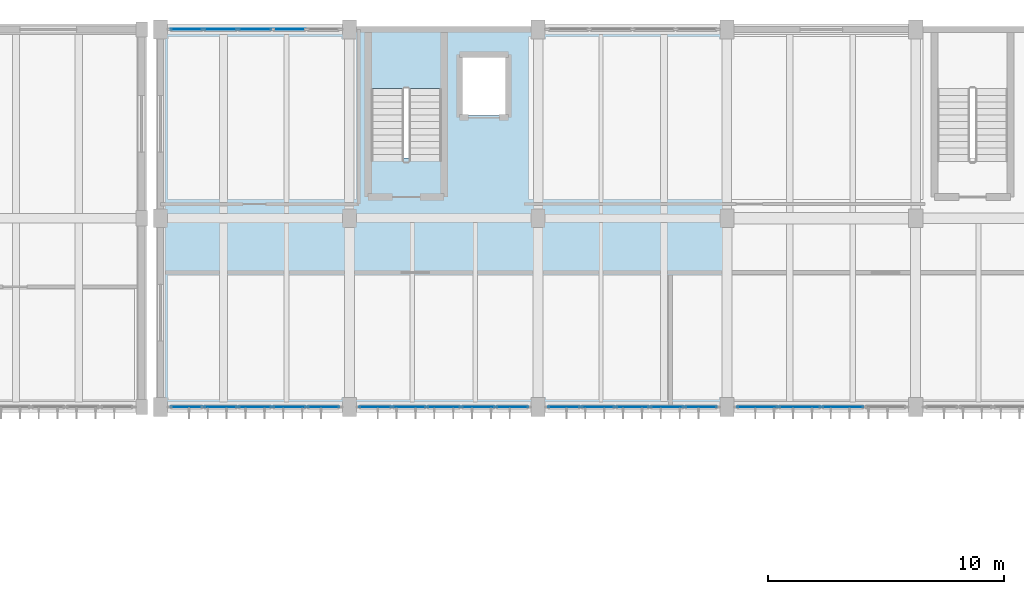
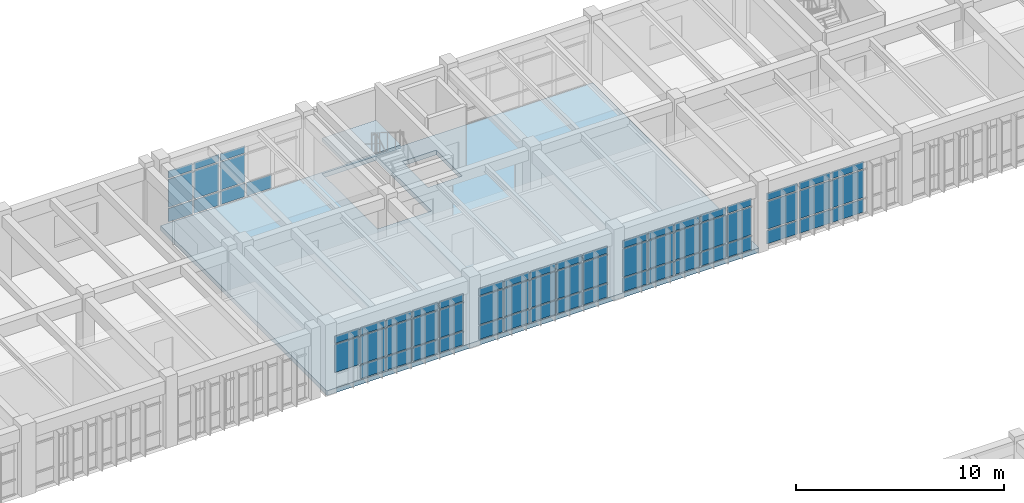
# One storey, part 37 of 67: 63 plates, 2 slabs, 6 elements without a shape of their own.
"""IFC4 building model written with IfcOpenShell, lengths in metres."""

from ifc_helpers import new_model, si_unit, direction, frame, origin, origin_2d, place, context, subcontext, project, spatial, polyline, rectangle, outline, extrude, material, layer, layer_set, type_object, element, aggregate, save


model = new_model("IFC4")

# Units and contexts
model_context = context("Model", 3, precision=1e-05, world=origin(), true_north=direction((0.0, 1.0)))
body_context = subcontext(model_context, "Body", "Model", "MODEL_VIEW")
ifc_project = project(units=[si_unit("LENGTHUNIT", "METRE"), si_unit("AREAUNIT", "SQUARE_METRE"), si_unit("VOLUMEUNIT", "CUBIC_METRE"), si_unit("PLANEANGLEUNIT", "RADIAN"), si_unit("MASSUNIT", "GRAM", prefix="KILO")], contexts=[model_context])

# Site, building, storey
site_placement = place(None, origin())
site = spatial("IfcSite", under=ifc_project, at=site_placement, CompositionType="ELEMENT")
building_placement = place(site_placement, origin())
building = spatial("IfcBuilding", under=site, at=building_placement, Name="Tlaxcora Railside Police Headquarters", CompositionType="ELEMENT")
storey_placement = place(building_placement, frame((0.0, 0.0, 4.800048828125)))
storey = spatial("IfcBuildingStorey", under=building, at=storey_placement, Name="L01", CompositionType="ELEMENT", Elevation=4.800048828125)

# Curtain wall, plates
ifc_material_1 = material(Name="Thermally broken low-E insulated glazing", Category="glass")
curtain_wall_type_1 = type_object("IfcCurtainWallType", Name="Unitised Curtain Wall Assembly CW-23", PredefinedType="NOTDEFINED", material=ifc_material_1)
curtain_wall_1_placement = place(storey_placement, origin())
curtain_wall_1 = element("IfcCurtainWall", 1, at=curtain_wall_1_placement, inside=storey, type_object=curtain_wall_type_1, Name="V6 L01 curtain wall 144", PredefinedType="NOTDEFINED")
ifc_layer_1 = layer(ifc_material_1, 0.0400390625, Name="Thermally broken low-E insulated glazing")
ifc_layer_set_1 = layer_set([ifc_layer_1], Name="Thermally broken low-E insulated glazing")
plate_type_1 = type_object("IfcPlateType", Name="Curtain Wall Infill Panel CW-17", PredefinedType="CURTAIN_PANEL", material=ifc_layer_set_1)
plate_1_placement = place(storey_placement, frame((103.89990234375, 76.800048828125, 0.93994140625), z_axis=(0.0, 0.0, 1.0), x_axis=(1.0, 0.0, 0.0)))
plate_1 = element("IfcPlate", 2, at=plate_1_placement, type_object=plate_type_1, Name="CW panel 1.2", PredefinedType="CURTAIN_PANEL", context=body_context, shape_type="SweptSolid", body=[
    extrude(rectangle(XDim=1.340087890625, YDim=0.0400390625, at=origin_2d()), origin(), (0.0, 0.0, 1.0), 1.6298828125),
])
plate_2_placement = place(storey_placement, frame((103.89990234375, 76.800048828125, 2.64990234375), z_axis=(0.0, 0.0, 1.0), x_axis=(1.0, 0.0, 0.0)))
plate_2 = element("IfcPlate", 3, at=plate_2_placement, type_object=plate_type_1, Name="CW panel 1.3", PredefinedType="CURTAIN_PANEL", context=body_context, shape_type="SweptSolid", body=[
    extrude(rectangle(XDim=1.340087890625, YDim=0.0400390625, at=origin_2d()), origin(), (0.0, 0.0, 1.0), 0.409912109375),
])
plate_3_placement = place(storey_placement, frame((105.340087890625, 76.800048828125, 0.080078125), z_axis=(0.0, 0.0, 1.0), x_axis=(1.0, 0.0, 0.0)))
plate_3 = element("IfcPlate", 4, at=plate_3_placement, type_object=plate_type_1, Name="CW panel 2.1", PredefinedType="CURTAIN_PANEL", context=body_context, shape_type="SweptSolid", body=[
    extrude(rectangle(XDim=1.3798828125, YDim=0.0400390625, at=origin_2d()), origin(), (0.0, 0.0, 1.0), 0.780029296875),
])
plate_4_placement = place(storey_placement, frame((105.340087890625, 76.800048828125, 0.93994140625), z_axis=(0.0, 0.0, 1.0), x_axis=(1.0, 0.0, 0.0)))
plate_4 = element("IfcPlate", 5, at=plate_4_placement, type_object=plate_type_1, Name="CW panel 2.2", PredefinedType="CURTAIN_PANEL", context=body_context, shape_type="SweptSolid", body=[
    extrude(rectangle(XDim=1.3798828125, YDim=0.0400390625, at=origin_2d()), origin(), (0.0, 0.0, 1.0), 1.6298828125),
])
plate_5_placement = place(storey_placement, frame((105.340087890625, 76.800048828125, 2.64990234375), z_axis=(0.0, 0.0, 1.0), x_axis=(1.0, 0.0, 0.0)))
plate_5 = element("IfcPlate", 6, at=plate_5_placement, type_object=plate_type_1, Name="CW panel 2.3", PredefinedType="CURTAIN_PANEL", context=body_context, shape_type="SweptSolid", body=[
    extrude(rectangle(XDim=1.3798828125, YDim=0.0400390625, at=origin_2d()), origin(), (0.0, 0.0, 1.0), 0.409912109375),
])
plate_6_placement = place(storey_placement, frame((106.800048828125, 76.800048828125, 0.080078125), z_axis=(0.0, 0.0, 1.0), x_axis=(1.0, 0.0, 0.0)))
plate_6 = element("IfcPlate", 7, at=plate_6_placement, type_object=plate_type_1, Name="CW panel 3.1", PredefinedType="CURTAIN_PANEL", context=body_context, shape_type="SweptSolid", body=[
    extrude(rectangle(XDim=1.3798828125, YDim=0.0400390625, at=origin_2d()), origin(), (0.0, 0.0, 1.0), 0.780029296875),
])
plate_7_placement = place(storey_placement, frame((106.800048828125, 76.800048828125, 0.93994140625), z_axis=(0.0, 0.0, 1.0), x_axis=(1.0, 0.0, 0.0)))
plate_7 = element("IfcPlate", 8, at=plate_7_placement, type_object=plate_type_1, Name="CW panel 3.2", PredefinedType="CURTAIN_PANEL", context=body_context, shape_type="SweptSolid", body=[
    extrude(rectangle(XDim=1.3798828125, YDim=0.0400390625, at=origin_2d()), origin(), (0.0, 0.0, 1.0), 1.6298828125),
])
plate_8_placement = place(storey_placement, frame((106.800048828125, 76.800048828125, 2.64990234375), z_axis=(0.0, 0.0, 1.0), x_axis=(1.0, 0.0, 0.0)))
plate_8 = element("IfcPlate", 9, at=plate_8_placement, type_object=plate_type_1, Name="CW panel 3.3", PredefinedType="CURTAIN_PANEL", context=body_context, shape_type="SweptSolid", body=[
    extrude(rectangle(XDim=1.3798828125, YDim=0.0400390625, at=origin_2d()), origin(), (0.0, 0.0, 1.0), 0.409912109375),
])
plate_9_placement = place(storey_placement, frame((108.260009765625, 76.800048828125, 0.080078125), z_axis=(0.0, 0.0, 1.0), x_axis=(1.0, 0.0, 0.0)))
plate_9 = element("IfcPlate", 10, at=plate_9_placement, type_object=plate_type_1, Name="CW panel 4.1", PredefinedType="CURTAIN_PANEL", context=body_context, shape_type="SweptSolid", body=[
    extrude(rectangle(XDim=1.3798828125, YDim=0.0400390625, at=origin_2d()), origin(), (0.0, 0.0, 1.0), 0.780029296875),
])
plate_10_placement = place(storey_placement, frame((108.260009765625, 76.800048828125, 0.93994140625), z_axis=(0.0, 0.0, 1.0), x_axis=(1.0, 0.0, 0.0)))
plate_10 = element("IfcPlate", 11, at=plate_10_placement, type_object=plate_type_1, Name="CW panel 4.2", PredefinedType="CURTAIN_PANEL", context=body_context, shape_type="SweptSolid", body=[
    extrude(rectangle(XDim=1.3798828125, YDim=0.0400390625, at=origin_2d()), origin(), (0.0, 0.0, 1.0), 1.6298828125),
])
plate_11_placement = place(storey_placement, frame((108.260009765625, 76.800048828125, 2.64990234375), z_axis=(0.0, 0.0, 1.0), x_axis=(1.0, 0.0, 0.0)))
plate_11 = element("IfcPlate", 12, at=plate_11_placement, type_object=plate_type_1, Name="CW panel 4.3", PredefinedType="CURTAIN_PANEL", context=body_context, shape_type="SweptSolid", body=[
    extrude(rectangle(XDim=1.3798828125, YDim=0.0400390625, at=origin_2d()), origin(), (0.0, 0.0, 1.0), 0.409912109375),
])
plate_12_placement = place(storey_placement, frame((109.699951171875, 76.800048828125, 0.080078125), z_axis=(0.0, 0.0, 1.0), x_axis=(1.0, 0.0, 0.0)))
plate_12 = element("IfcPlate", 13, at=plate_12_placement, type_object=plate_type_1, Name="CW panel 5.1", PredefinedType="CURTAIN_PANEL", context=body_context, shape_type="SweptSolid", body=[
    extrude(rectangle(XDim=1.340087890625, YDim=0.0400390625, at=origin_2d()), origin(), (0.0, 0.0, 1.0), 0.780029296875),
])
plate_13_placement = place(storey_placement, frame((109.699951171875, 76.800048828125, 0.93994140625), z_axis=(0.0, 0.0, 1.0), x_axis=(1.0, 0.0, 0.0)))
plate_13 = element("IfcPlate", 14, at=plate_13_placement, type_object=plate_type_1, Name="CW panel 5.2", PredefinedType="CURTAIN_PANEL", context=body_context, shape_type="SweptSolid", body=[
    extrude(rectangle(XDim=1.340087890625, YDim=0.0400390625, at=origin_2d()), origin(), (0.0, 0.0, 1.0), 1.6298828125),
])
plate_14_placement = place(storey_placement, frame((109.699951171875, 76.800048828125, 2.64990234375), z_axis=(0.0, 0.0, 1.0), x_axis=(1.0, 0.0, 0.0)))
plate_14 = element("IfcPlate", 15, at=plate_14_placement, type_object=plate_type_1, Name="CW panel 5.3", PredefinedType="CURTAIN_PANEL", context=body_context, shape_type="SweptSolid", body=[
    extrude(rectangle(XDim=1.340087890625, YDim=0.0400390625, at=origin_2d()), origin(), (0.0, 0.0, 1.0), 0.409912109375),
])
aggregate(curtain_wall_1, [plate_1, plate_2, plate_3, plate_4, plate_5, plate_6, plate_7, plate_8, plate_9, plate_10, plate_11, plate_12, plate_13, plate_14])

curtain_wall_2_placement = place(storey_placement, origin())
curtain_wall_2 = element("IfcCurtainWall", 16, at=curtain_wall_2_placement, inside=storey, type_object=curtain_wall_type_1, Name="V6 L01 curtain wall 152", PredefinedType="NOTDEFINED")
plate_15_placement = place(storey_placement, frame((108.260009765625, 92.800048828125, 0.080078125), z_axis=(0.0, 0.0, 1.0), x_axis=(-1.0, 0.0, 0.0)))
plate_15 = element("IfcPlate", 17, at=plate_15_placement, type_object=plate_type_1, Name="CW panel 2.1", PredefinedType="CURTAIN_PANEL", context=body_context, shape_type="SweptSolid", body=[
    extrude(rectangle(XDim=1.3798828125, YDim=0.0400390625, at=origin_2d()), origin(), (0.0, 0.0, 1.0), 0.780029296875),
])
plate_16_placement = place(storey_placement, frame((106.800048828125, 92.800048828125, 0.080078125), z_axis=(0.0, 0.0, 1.0), x_axis=(-1.0, 0.0, 0.0)))
plate_16 = element("IfcPlate", 18, at=plate_16_placement, type_object=plate_type_1, Name="CW panel 3.1", PredefinedType="CURTAIN_PANEL", context=body_context, shape_type="SweptSolid", body=[
    extrude(rectangle(XDim=1.3798828125, YDim=0.0400390625, at=origin_2d()), origin(), (0.0, 0.0, 1.0), 0.780029296875),
])
plate_17_placement = place(storey_placement, frame((106.800048828125, 92.800048828125, 0.93994140625), z_axis=(0.0, 0.0, 1.0), x_axis=(-1.0, 0.0, 0.0)))
plate_17 = element("IfcPlate", 19, at=plate_17_placement, type_object=plate_type_1, Name="CW panel 3.2", PredefinedType="CURTAIN_PANEL", context=body_context, shape_type="SweptSolid", body=[
    extrude(rectangle(XDim=1.3798828125, YDim=0.0400390625, at=origin_2d()), origin(), (0.0, 0.0, 1.0), 1.6298828125),
])
plate_18_placement = place(storey_placement, frame((106.800048828125, 92.800048828125, 2.64990234375), z_axis=(0.0, 0.0, 1.0), x_axis=(-1.0, 0.0, 0.0)))
plate_18 = element("IfcPlate", 20, at=plate_18_placement, type_object=plate_type_1, Name="CW panel 3.3", PredefinedType="CURTAIN_PANEL", context=body_context, shape_type="SweptSolid", body=[
    extrude(rectangle(XDim=1.3798828125, YDim=0.0400390625, at=origin_2d()), origin(), (0.0, 0.0, 1.0), 0.409912109375),
])
plate_19_placement = place(storey_placement, frame((105.340087890625, 92.800048828125, 0.080078125), z_axis=(0.0, 0.0, 1.0), x_axis=(-1.0, 0.0, 0.0)))
plate_19 = element("IfcPlate", 21, at=plate_19_placement, type_object=plate_type_1, Name="CW panel 4.1", PredefinedType="CURTAIN_PANEL", context=body_context, shape_type="SweptSolid", body=[
    extrude(rectangle(XDim=1.3798828125, YDim=0.0400390625, at=origin_2d()), origin(), (0.0, 0.0, 1.0), 0.780029296875),
])
plate_20_placement = place(storey_placement, frame((105.340087890625, 92.800048828125, 0.93994140625), z_axis=(0.0, 0.0, 1.0), x_axis=(-1.0, 0.0, 0.0)))
plate_20 = element("IfcPlate", 22, at=plate_20_placement, type_object=plate_type_1, Name="CW panel 4.2", PredefinedType="CURTAIN_PANEL", context=body_context, shape_type="SweptSolid", body=[
    extrude(rectangle(XDim=1.3798828125, YDim=0.0400390625, at=origin_2d()), origin(), (0.0, 0.0, 1.0), 1.6298828125),
])
plate_21_placement = place(storey_placement, frame((105.340087890625, 92.800048828125, 2.64990234375), z_axis=(0.0, 0.0, 1.0), x_axis=(-1.0, 0.0, 0.0)))
plate_21 = element("IfcPlate", 23, at=plate_21_placement, type_object=plate_type_1, Name="CW panel 4.3", PredefinedType="CURTAIN_PANEL", context=body_context, shape_type="SweptSolid", body=[
    extrude(rectangle(XDim=1.3798828125, YDim=0.0400390625, at=origin_2d()), origin(), (0.0, 0.0, 1.0), 0.409912109375),
])
plate_22_placement = place(storey_placement, frame((103.89990234375, 92.800048828125, 0.080078125), z_axis=(0.0, 0.0, 1.0), x_axis=(-1.0, 0.0, 0.0)))
plate_22 = element("IfcPlate", 24, at=plate_22_placement, type_object=plate_type_1, Name="CW panel 5.1", PredefinedType="CURTAIN_PANEL", context=body_context, shape_type="SweptSolid", body=[
    extrude(rectangle(XDim=1.340087890625, YDim=0.0400390625, at=origin_2d()), origin(), (0.0, 0.0, 1.0), 0.780029296875),
])
plate_23_placement = place(storey_placement, frame((103.89990234375, 92.800048828125, 0.93994140625), z_axis=(0.0, 0.0, 1.0), x_axis=(-1.0, 0.0, 0.0)))
plate_23 = element("IfcPlate", 25, at=plate_23_placement, type_object=plate_type_1, Name="CW panel 5.2", PredefinedType="CURTAIN_PANEL", context=body_context, shape_type="SweptSolid", body=[
    extrude(rectangle(XDim=1.340087890625, YDim=0.0400390625, at=origin_2d()), origin(), (0.0, 0.0, 1.0), 1.6298828125),
])
plate_24_placement = place(storey_placement, frame((103.89990234375, 92.800048828125, 2.64990234375), z_axis=(0.0, 0.0, 1.0), x_axis=(-1.0, 0.0, 0.0)))
plate_24 = element("IfcPlate", 26, at=plate_24_placement, type_object=plate_type_1, Name="CW panel 5.3", PredefinedType="CURTAIN_PANEL", context=body_context, shape_type="SweptSolid", body=[
    extrude(rectangle(XDim=1.340087890625, YDim=0.0400390625, at=origin_2d()), origin(), (0.0, 0.0, 1.0), 0.409912109375),
])
aggregate(curtain_wall_2, [plate_15, plate_16, plate_17, plate_18, plate_19, plate_20, plate_21, plate_22, plate_23, plate_24])

curtain_wall_type_2 = type_object("IfcCurtainWallType", Name="Unitised Curtain Wall Assembly CW-15", PredefinedType="NOTDEFINED", material=ifc_material_1)
curtain_wall_3_placement = place(storey_placement, origin())
curtain_wall_3 = element("IfcCurtainWall", 27, at=curtain_wall_3_placement, inside=storey, type_object=curtain_wall_type_2, Name="V6 L01 curtain wall 146", PredefinedType="NOTDEFINED")
ifc_layer_2 = layer(ifc_material_1, 0.031982421875, Name="Thermally broken low-E insulated glazing")
ifc_layer_set_2 = layer_set([ifc_layer_2], Name="Thermally broken low-E insulated glazing")
plate_type_2 = type_object("IfcPlateType", Name="Curtain Wall Infill Panel CW-41", PredefinedType="CURTAIN_PANEL", material=ifc_layer_set_2)
plate_25_placement = place(storey_placement, frame((119.898681640625, 76.800048828125, 0.074951171875), z_axis=(0.0, 0.0, 1.0), x_axis=(1.0, 0.0, 0.0)))
plate_25 = element("IfcPlate", 28, at=plate_25_placement, type_object=plate_type_2, Name="CW panel 1.1", PredefinedType="CURTAIN_PANEL", context=body_context, shape_type="SweptSolid", body=[
    extrude(rectangle(XDim=1.347412109375, YDim=0.031982421875, at=origin_2d()), origin(), (0.0, 0.0, 1.0), 0.78759765625),
])
plate_26_placement = place(storey_placement, frame((119.898681640625, 76.800048828125, 0.9375), z_axis=(0.0, 0.0, 1.0), x_axis=(1.0, 0.0, 0.0)))
plate_26 = element("IfcPlate", 29, at=plate_26_placement, type_object=plate_type_2, Name="CW panel 1.2", PredefinedType="CURTAIN_PANEL", context=body_context, shape_type="SweptSolid", body=[
    extrude(rectangle(XDim=1.347412109375, YDim=0.031982421875, at=origin_2d()), origin(), (0.0, 0.0, 1.0), 1.635009765625),
])
plate_27_placement = place(storey_placement, frame((119.898681640625, 76.800048828125, 2.6474609375), z_axis=(0.0, 0.0, 1.0), x_axis=(1.0, 0.0, 0.0)))
plate_27 = element("IfcPlate", 30, at=plate_27_placement, type_object=plate_type_2, Name="CW panel 1.3", PredefinedType="CURTAIN_PANEL", context=body_context, shape_type="SweptSolid", body=[
    extrude(rectangle(XDim=1.347412109375, YDim=0.031982421875, at=origin_2d()), origin(), (0.0, 0.0, 1.0), 0.41748046875),
])
plate_28_placement = place(storey_placement, frame((121.340087890625, 76.800048828125, 0.074951171875), z_axis=(0.0, 0.0, 1.0), x_axis=(1.0, 0.0, 0.0)))
plate_28 = element("IfcPlate", 31, at=plate_28_placement, type_object=plate_type_2, Name="CW panel 2.1", PredefinedType="CURTAIN_PANEL", context=body_context, shape_type="SweptSolid", body=[
    extrude(rectangle(XDim=1.385009765625, YDim=0.031982421875, at=origin_2d()), origin(), (0.0, 0.0, 1.0), 0.78759765625),
])
plate_29_placement = place(storey_placement, frame((121.340087890625, 76.800048828125, 0.9375), z_axis=(0.0, 0.0, 1.0), x_axis=(1.0, 0.0, 0.0)))
plate_29 = element("IfcPlate", 32, at=plate_29_placement, type_object=plate_type_2, Name="CW panel 2.2", PredefinedType="CURTAIN_PANEL", context=body_context, shape_type="SweptSolid", body=[
    extrude(rectangle(XDim=1.385009765625, YDim=0.031982421875, at=origin_2d()), origin(), (0.0, 0.0, 1.0), 1.635009765625),
])
plate_30_placement = place(storey_placement, frame((121.340087890625, 76.800048828125, 2.6474609375), z_axis=(0.0, 0.0, 1.0), x_axis=(1.0, 0.0, 0.0)))
plate_30 = element("IfcPlate", 33, at=plate_30_placement, type_object=plate_type_2, Name="CW panel 2.3", PredefinedType="CURTAIN_PANEL", context=body_context, shape_type="SweptSolid", body=[
    extrude(rectangle(XDim=1.385009765625, YDim=0.031982421875, at=origin_2d()), origin(), (0.0, 0.0, 1.0), 0.41748046875),
])
plate_31_placement = place(storey_placement, frame((122.800048828125, 76.800048828125, 0.074951171875), z_axis=(0.0, 0.0, 1.0), x_axis=(1.0, 0.0, 0.0)))
plate_31 = element("IfcPlate", 34, at=plate_31_placement, type_object=plate_type_2, Name="CW panel 3.1", PredefinedType="CURTAIN_PANEL", context=body_context, shape_type="SweptSolid", body=[
    extrude(rectangle(XDim=1.385009765625, YDim=0.031982421875, at=origin_2d()), origin(), (0.0, 0.0, 1.0), 0.78759765625),
])
plate_32_placement = place(storey_placement, frame((122.800048828125, 76.800048828125, 0.9375), z_axis=(0.0, 0.0, 1.0), x_axis=(1.0, 0.0, 0.0)))
plate_32 = element("IfcPlate", 35, at=plate_32_placement, type_object=plate_type_2, Name="CW panel 3.2", PredefinedType="CURTAIN_PANEL", context=body_context, shape_type="SweptSolid", body=[
    extrude(rectangle(XDim=1.385009765625, YDim=0.031982421875, at=origin_2d()), origin(), (0.0, 0.0, 1.0), 1.635009765625),
])
plate_33_placement = place(storey_placement, frame((122.800048828125, 76.800048828125, 2.6474609375), z_axis=(0.0, 0.0, 1.0), x_axis=(1.0, 0.0, 0.0)))
plate_33 = element("IfcPlate", 36, at=plate_33_placement, type_object=plate_type_2, Name="CW panel 3.3", PredefinedType="CURTAIN_PANEL", context=body_context, shape_type="SweptSolid", body=[
    extrude(rectangle(XDim=1.385009765625, YDim=0.031982421875, at=origin_2d()), origin(), (0.0, 0.0, 1.0), 0.41748046875),
])
plate_34_placement = place(storey_placement, frame((124.260009765625, 76.800048828125, 0.074951171875), z_axis=(0.0, 0.0, 1.0), x_axis=(1.0, 0.0, 0.0)))
plate_34 = element("IfcPlate", 37, at=plate_34_placement, type_object=plate_type_2, Name="CW panel 4.1", PredefinedType="CURTAIN_PANEL", context=body_context, shape_type="SweptSolid", body=[
    extrude(rectangle(XDim=1.385009765625, YDim=0.031982421875, at=origin_2d()), origin(), (0.0, 0.0, 1.0), 0.78759765625),
])
plate_35_placement = place(storey_placement, frame((124.260009765625, 76.800048828125, 0.9375), z_axis=(0.0, 0.0, 1.0), x_axis=(1.0, 0.0, 0.0)))
plate_35 = element("IfcPlate", 38, at=plate_35_placement, type_object=plate_type_2, Name="CW panel 4.2", PredefinedType="CURTAIN_PANEL", context=body_context, shape_type="SweptSolid", body=[
    extrude(rectangle(XDim=1.385009765625, YDim=0.031982421875, at=origin_2d()), origin(), (0.0, 0.0, 1.0), 1.635009765625),
])
plate_36_placement = place(storey_placement, frame((124.260009765625, 76.800048828125, 2.6474609375), z_axis=(0.0, 0.0, 1.0), x_axis=(1.0, 0.0, 0.0)))
plate_36 = element("IfcPlate", 39, at=plate_36_placement, type_object=plate_type_2, Name="CW panel 4.3", PredefinedType="CURTAIN_PANEL", context=body_context, shape_type="SweptSolid", body=[
    extrude(rectangle(XDim=1.385009765625, YDim=0.031982421875, at=origin_2d()), origin(), (0.0, 0.0, 1.0), 0.41748046875),
])
plate_37_placement = place(storey_placement, frame((125.701171875, 76.800048828125, 0.074951171875), z_axis=(0.0, 0.0, 1.0), x_axis=(1.0, 0.0, 0.0)))
plate_37 = element("IfcPlate", 40, at=plate_37_placement, type_object=plate_type_2, Name="CW panel 5.1", PredefinedType="CURTAIN_PANEL", context=body_context, shape_type="SweptSolid", body=[
    extrude(rectangle(XDim=1.347412109375, YDim=0.031982421875, at=origin_2d()), origin(), (0.0, 0.0, 1.0), 0.78759765625),
])
plate_38_placement = place(storey_placement, frame((125.701171875, 76.800048828125, 0.9375), z_axis=(0.0, 0.0, 1.0), x_axis=(1.0, 0.0, 0.0)))
plate_38 = element("IfcPlate", 41, at=plate_38_placement, type_object=plate_type_2, Name="CW panel 5.2", PredefinedType="CURTAIN_PANEL", context=body_context, shape_type="SweptSolid", body=[
    extrude(rectangle(XDim=1.347412109375, YDim=0.031982421875, at=origin_2d()), origin(), (0.0, 0.0, 1.0), 1.635009765625),
])
plate_39_placement = place(storey_placement, frame((125.701171875, 76.800048828125, 2.6474609375), z_axis=(0.0, 0.0, 1.0), x_axis=(1.0, 0.0, 0.0)))
plate_39 = element("IfcPlate", 42, at=plate_39_placement, type_object=plate_type_2, Name="CW panel 5.3", PredefinedType="CURTAIN_PANEL", context=body_context, shape_type="SweptSolid", body=[
    extrude(rectangle(XDim=1.347412109375, YDim=0.031982421875, at=origin_2d()), origin(), (0.0, 0.0, 1.0), 0.41748046875),
])
aggregate(curtain_wall_3, [plate_25, plate_26, plate_27, plate_28, plate_29, plate_30, plate_31, plate_32, plate_33, plate_34, plate_35, plate_36, plate_37, plate_38, plate_39])

curtain_wall_type_3 = type_object("IfcCurtainWallType", Name="Unitised Curtain Wall Assembly CW-83", PredefinedType="NOTDEFINED", material=ifc_material_1)
curtain_wall_4_placement = place(storey_placement, origin())
curtain_wall_4 = element("IfcCurtainWall", 43, at=curtain_wall_4_placement, inside=storey, type_object=curtain_wall_type_3, Name="V6 L01 curtain wall 147", PredefinedType="NOTDEFINED")
ifc_layer_3 = layer(ifc_material_1, 0.035888671875, Name="Thermally broken low-E insulated glazing")
ifc_layer_set_3 = layer_set([ifc_layer_3], Name="Thermally broken low-E insulated glazing")
plate_type_3 = type_object("IfcPlateType", Name="Curtain Wall Infill Panel CW-72", PredefinedType="CURTAIN_PANEL", material=ifc_layer_set_3)
plate_40_placement = place(storey_placement, frame((128.08251953125, 76.800048828125, 0.080078125), z_axis=(0.0, 0.0, 1.0), x_axis=(1.0, 0.0, 0.0)))
plate_40 = element("IfcPlate", 44, at=plate_40_placement, type_object=plate_type_3, Name="CW panel 1.1", PredefinedType="CURTAIN_PANEL", context=body_context, shape_type="SweptSolid", body=[
    extrude(rectangle(XDim=1.705078125, YDim=0.035888671875, at=origin_2d()), origin(), (0.0, 0.0, 1.0), 0.780029296875),
])
plate_41_placement = place(storey_placement, frame((128.08251953125, 76.800048828125, 0.93994140625), z_axis=(0.0, 0.0, 1.0), x_axis=(1.0, 0.0, 0.0)))
plate_41 = element("IfcPlate", 45, at=plate_41_placement, type_object=plate_type_3, Name="CW panel 1.2", PredefinedType="CURTAIN_PANEL", context=body_context, shape_type="SweptSolid", body=[
    extrude(rectangle(XDim=1.705078125, YDim=0.035888671875, at=origin_2d()), origin(), (0.0, 0.0, 1.0), 1.6298828125),
])
plate_42_placement = place(storey_placement, frame((128.08251953125, 76.800048828125, 2.64990234375), z_axis=(0.0, 0.0, 1.0), x_axis=(1.0, 0.0, 0.0)))
plate_42 = element("IfcPlate", 46, at=plate_42_placement, type_object=plate_type_3, Name="CW panel 1.3", PredefinedType="CURTAIN_PANEL", context=body_context, shape_type="SweptSolid", body=[
    extrude(rectangle(XDim=1.705078125, YDim=0.035888671875, at=origin_2d()), origin(), (0.0, 0.0, 1.0), 0.409912109375),
])
plate_43_placement = place(storey_placement, frame((129.887451171875, 76.800048828125, 0.080078125), z_axis=(0.0, 0.0, 1.0), x_axis=(1.0, 0.0, 0.0)))
plate_43 = element("IfcPlate", 47, at=plate_43_placement, type_object=plate_type_3, Name="CW panel 2.1", PredefinedType="CURTAIN_PANEL", context=body_context, shape_type="SweptSolid", body=[
    extrude(rectangle(XDim=1.7451171875, YDim=0.035888671875, at=origin_2d()), origin(), (0.0, 0.0, 1.0), 0.780029296875),
])
plate_44_placement = place(storey_placement, frame((129.887451171875, 76.800048828125, 0.93994140625), z_axis=(0.0, 0.0, 1.0), x_axis=(1.0, 0.0, 0.0)))
plate_44 = element("IfcPlate", 48, at=plate_44_placement, type_object=plate_type_3, Name="CW panel 2.2", PredefinedType="CURTAIN_PANEL", context=body_context, shape_type="SweptSolid", body=[
    extrude(rectangle(XDim=1.7451171875, YDim=0.035888671875, at=origin_2d()), origin(), (0.0, 0.0, 1.0), 1.6298828125),
])
plate_45_placement = place(storey_placement, frame((129.887451171875, 76.800048828125, 2.64990234375), z_axis=(0.0, 0.0, 1.0), x_axis=(1.0, 0.0, 0.0)))
plate_45 = element("IfcPlate", 49, at=plate_45_placement, type_object=plate_type_3, Name="CW panel 2.3", PredefinedType="CURTAIN_PANEL", context=body_context, shape_type="SweptSolid", body=[
    extrude(rectangle(XDim=1.7451171875, YDim=0.035888671875, at=origin_2d()), origin(), (0.0, 0.0, 1.0), 0.409912109375),
])
plate_46_placement = place(storey_placement, frame((131.71240234375, 76.800048828125, 0.080078125), z_axis=(0.0, 0.0, 1.0), x_axis=(1.0, 0.0, 0.0)))
plate_46 = element("IfcPlate", 50, at=plate_46_placement, type_object=plate_type_3, Name="CW panel 3.1", PredefinedType="CURTAIN_PANEL", context=body_context, shape_type="SweptSolid", body=[
    extrude(rectangle(XDim=1.7451171875, YDim=0.035888671875, at=origin_2d()), origin(), (0.0, 0.0, 1.0), 0.780029296875),
])
plate_47_placement = place(storey_placement, frame((131.71240234375, 76.800048828125, 0.93994140625), z_axis=(0.0, 0.0, 1.0), x_axis=(1.0, 0.0, 0.0)))
plate_47 = element("IfcPlate", 51, at=plate_47_placement, type_object=plate_type_3, Name="CW panel 3.2", PredefinedType="CURTAIN_PANEL", context=body_context, shape_type="SweptSolid", body=[
    extrude(rectangle(XDim=1.7451171875, YDim=0.035888671875, at=origin_2d()), origin(), (0.0, 0.0, 1.0), 1.6298828125),
])
plate_48_placement = place(storey_placement, frame((131.71240234375, 76.800048828125, 2.64990234375), z_axis=(0.0, 0.0, 1.0), x_axis=(1.0, 0.0, 0.0)))
plate_48 = element("IfcPlate", 52, at=plate_48_placement, type_object=plate_type_3, Name="CW panel 3.3", PredefinedType="CURTAIN_PANEL", context=body_context, shape_type="SweptSolid", body=[
    extrude(rectangle(XDim=1.7451171875, YDim=0.035888671875, at=origin_2d()), origin(), (0.0, 0.0, 1.0), 0.409912109375),
])
aggregate(curtain_wall_4, [plate_40, plate_41, plate_42, plate_43, plate_44, plate_45, plate_46, plate_47, plate_48])

curtain_wall_type_4 = type_object("IfcCurtainWallType", Name="Unitised Curtain Wall Assembly CW-38", PredefinedType="NOTDEFINED", material=ifc_material_1)
curtain_wall_5_placement = place(storey_placement, origin())
curtain_wall_5 = element("IfcCurtainWall", 53, at=curtain_wall_5_placement, inside=storey, type_object=curtain_wall_type_4, Name="V6 L01 curtain wall 145", PredefinedType="NOTDEFINED")
ifc_layer_4 = layer(ifc_material_1, 0.028076171875, Name="Thermally broken low-E insulated glazing")
ifc_layer_set_4 = layer_set([ifc_layer_4], Name="Thermally broken low-E insulated glazing")
plate_type_4 = type_object("IfcPlateType", Name="Curtain Wall Infill Panel CW-92", PredefinedType="CURTAIN_PANEL", material=ifc_layer_set_4)
plate_49_placement = place(storey_placement, frame((111.898681640625, 76.800048828125, 0.074951171875), z_axis=(0.0, 0.0, 1.0), x_axis=(1.0, 0.0, 0.0)))
plate_49 = element("IfcPlate", 54, at=plate_49_placement, type_object=plate_type_4, Name="CW panel 1.1", PredefinedType="CURTAIN_PANEL", context=body_context, shape_type="SweptSolid", body=[
    extrude(rectangle(XDim=1.347412109375, YDim=0.028076171875, at=origin_2d()), origin(), (0.0, 0.0, 1.0), 0.78759765625),
])
plate_50_placement = place(storey_placement, frame((111.898681640625, 76.800048828125, 0.9375), z_axis=(0.0, 0.0, 1.0), x_axis=(1.0, 0.0, 0.0)))
plate_50 = element("IfcPlate", 55, at=plate_50_placement, type_object=plate_type_4, Name="CW panel 1.2", PredefinedType="CURTAIN_PANEL", context=body_context, shape_type="SweptSolid", body=[
    extrude(rectangle(XDim=1.347412109375, YDim=0.028076171875, at=origin_2d()), origin(), (0.0, 0.0, 1.0), 1.635009765625),
])
plate_51_placement = place(storey_placement, frame((111.898681640625, 76.800048828125, 2.6474609375), z_axis=(0.0, 0.0, 1.0), x_axis=(1.0, 0.0, 0.0)))
plate_51 = element("IfcPlate", 56, at=plate_51_placement, type_object=plate_type_4, Name="CW panel 1.3", PredefinedType="CURTAIN_PANEL", context=body_context, shape_type="SweptSolid", body=[
    extrude(rectangle(XDim=1.347412109375, YDim=0.028076171875, at=origin_2d()), origin(), (0.0, 0.0, 1.0), 0.41748046875),
])
plate_52_placement = place(storey_placement, frame((113.340087890625, 76.800048828125, 0.074951171875), z_axis=(0.0, 0.0, 1.0), x_axis=(1.0, 0.0, 0.0)))
plate_52 = element("IfcPlate", 57, at=plate_52_placement, type_object=plate_type_4, Name="CW panel 2.1", PredefinedType="CURTAIN_PANEL", context=body_context, shape_type="SweptSolid", body=[
    extrude(rectangle(XDim=1.385009765625, YDim=0.028076171875, at=origin_2d()), origin(), (0.0, 0.0, 1.0), 0.78759765625),
])
plate_53_placement = place(storey_placement, frame((113.340087890625, 76.800048828125, 0.9375), z_axis=(0.0, 0.0, 1.0), x_axis=(1.0, 0.0, 0.0)))
plate_53 = element("IfcPlate", 58, at=plate_53_placement, type_object=plate_type_4, Name="CW panel 2.2", PredefinedType="CURTAIN_PANEL", context=body_context, shape_type="SweptSolid", body=[
    extrude(rectangle(XDim=1.385009765625, YDim=0.028076171875, at=origin_2d()), origin(), (0.0, 0.0, 1.0), 1.635009765625),
])
plate_54_placement = place(storey_placement, frame((113.340087890625, 76.800048828125, 2.6474609375), z_axis=(0.0, 0.0, 1.0), x_axis=(1.0, 0.0, 0.0)))
plate_54 = element("IfcPlate", 59, at=plate_54_placement, type_object=plate_type_4, Name="CW panel 2.3", PredefinedType="CURTAIN_PANEL", context=body_context, shape_type="SweptSolid", body=[
    extrude(rectangle(XDim=1.385009765625, YDim=0.028076171875, at=origin_2d()), origin(), (0.0, 0.0, 1.0), 0.41748046875),
])
plate_55_placement = place(storey_placement, frame((114.800048828125, 76.800048828125, 0.074951171875), z_axis=(0.0, 0.0, 1.0), x_axis=(1.0, 0.0, 0.0)))
plate_55 = element("IfcPlate", 60, at=plate_55_placement, type_object=plate_type_4, Name="CW panel 3.1", PredefinedType="CURTAIN_PANEL", context=body_context, shape_type="SweptSolid", body=[
    extrude(rectangle(XDim=1.385009765625, YDim=0.028076171875, at=origin_2d()), origin(), (0.0, 0.0, 1.0), 0.78759765625),
])
plate_56_placement = place(storey_placement, frame((114.800048828125, 76.800048828125, 0.9375), z_axis=(0.0, 0.0, 1.0), x_axis=(1.0, 0.0, 0.0)))
plate_56 = element("IfcPlate", 61, at=plate_56_placement, type_object=plate_type_4, Name="CW panel 3.2", PredefinedType="CURTAIN_PANEL", context=body_context, shape_type="SweptSolid", body=[
    extrude(rectangle(XDim=1.385009765625, YDim=0.028076171875, at=origin_2d()), origin(), (0.0, 0.0, 1.0), 1.635009765625),
])
plate_57_placement = place(storey_placement, frame((114.800048828125, 76.800048828125, 2.6474609375), z_axis=(0.0, 0.0, 1.0), x_axis=(1.0, 0.0, 0.0)))
plate_57 = element("IfcPlate", 62, at=plate_57_placement, type_object=plate_type_4, Name="CW panel 3.3", PredefinedType="CURTAIN_PANEL", context=body_context, shape_type="SweptSolid", body=[
    extrude(rectangle(XDim=1.385009765625, YDim=0.028076171875, at=origin_2d()), origin(), (0.0, 0.0, 1.0), 0.41748046875),
])
plate_58_placement = place(storey_placement, frame((116.260009765625, 76.800048828125, 0.074951171875), z_axis=(0.0, 0.0, 1.0), x_axis=(1.0, 0.0, 0.0)))
plate_58 = element("IfcPlate", 63, at=plate_58_placement, type_object=plate_type_4, Name="CW panel 4.1", PredefinedType="CURTAIN_PANEL", context=body_context, shape_type="SweptSolid", body=[
    extrude(rectangle(XDim=1.385009765625, YDim=0.028076171875, at=origin_2d()), origin(), (0.0, 0.0, 1.0), 0.78759765625),
])
plate_59_placement = place(storey_placement, frame((116.260009765625, 76.800048828125, 0.9375), z_axis=(0.0, 0.0, 1.0), x_axis=(1.0, 0.0, 0.0)))
plate_59 = element("IfcPlate", 64, at=plate_59_placement, type_object=plate_type_4, Name="CW panel 4.2", PredefinedType="CURTAIN_PANEL", context=body_context, shape_type="SweptSolid", body=[
    extrude(rectangle(XDim=1.385009765625, YDim=0.028076171875, at=origin_2d()), origin(), (0.0, 0.0, 1.0), 1.635009765625),
])
plate_60_placement = place(storey_placement, frame((116.260009765625, 76.800048828125, 2.6474609375), z_axis=(0.0, 0.0, 1.0), x_axis=(1.0, 0.0, 0.0)))
plate_60 = element("IfcPlate", 65, at=plate_60_placement, type_object=plate_type_4, Name="CW panel 4.3", PredefinedType="CURTAIN_PANEL", context=body_context, shape_type="SweptSolid", body=[
    extrude(rectangle(XDim=1.385009765625, YDim=0.028076171875, at=origin_2d()), origin(), (0.0, 0.0, 1.0), 0.41748046875),
])
plate_61_placement = place(storey_placement, frame((117.701171875, 76.800048828125, 0.074951171875), z_axis=(0.0, 0.0, 1.0), x_axis=(1.0, 0.0, 0.0)))
plate_61 = element("IfcPlate", 66, at=plate_61_placement, type_object=plate_type_4, Name="CW panel 5.1", PredefinedType="CURTAIN_PANEL", context=body_context, shape_type="SweptSolid", body=[
    extrude(rectangle(XDim=1.347412109375, YDim=0.028076171875, at=origin_2d()), origin(), (0.0, 0.0, 1.0), 0.78759765625),
])
plate_62_placement = place(storey_placement, frame((117.701171875, 76.800048828125, 0.9375), z_axis=(0.0, 0.0, 1.0), x_axis=(1.0, 0.0, 0.0)))
plate_62 = element("IfcPlate", 67, at=plate_62_placement, type_object=plate_type_4, Name="CW panel 5.2", PredefinedType="CURTAIN_PANEL", context=body_context, shape_type="SweptSolid", body=[
    extrude(rectangle(XDim=1.347412109375, YDim=0.028076171875, at=origin_2d()), origin(), (0.0, 0.0, 1.0), 1.635009765625),
])
plate_63_placement = place(storey_placement, frame((117.701171875, 76.800048828125, 2.6474609375), z_axis=(0.0, 0.0, 1.0), x_axis=(1.0, 0.0, 0.0)))
plate_63 = element("IfcPlate", 68, at=plate_63_placement, type_object=plate_type_4, Name="CW panel 5.3", PredefinedType="CURTAIN_PANEL", context=body_context, shape_type="SweptSolid", body=[
    extrude(rectangle(XDim=1.347412109375, YDim=0.028076171875, at=origin_2d()), origin(), (0.0, 0.0, 1.0), 0.41748046875),
])
aggregate(curtain_wall_5, [plate_49, plate_50, plate_51, plate_52, plate_53, plate_54, plate_55, plate_56, plate_57, plate_58, plate_59, plate_60, plate_61, plate_62, plate_63])

# Stair, slab
ifc_material_2 = material(Name="Concrete C40/50", Category="concrete")
stair_type = type_object("IfcStairType", Name="Half-Turn Dog-Leg Stair ST-45", PredefinedType="HALF_TURN_STAIR", material=ifc_material_2)
stair_placement = place(storey_placement, origin())
stair = element("IfcStair", 69, at=stair_placement, inside=storey, type_object=stair_type, Name="L01 ST3", PredefinedType="HALF_TURN_STAIR")
ifc_material_3 = material(Name="Concrete C35/45", Category="concrete")
ifc_layer_5 = layer(ifc_material_3, 0.199951171875, Name="Concrete C35/45")
ifc_layer_set_5 = layer_set([ifc_layer_5], Name="Concrete C35/45")
slab_type_1 = type_object("IfcSlabType", Name="Stair Landing Slab SL-23", PredefinedType="LANDING", material=ifc_layer_set_5)
slab_1_placement = place(storey_placement, frame((0.0, 0.0, 1.89990234375)))
slab_1 = element("IfcSlab", 70, at=slab_1_placement, type_object=slab_type_1, Name="ST3 landing 1", PredefinedType="LANDING", context=body_context, shape_type="SweptSolid", body=[
    extrude(outline(polyline([(114.7099609375, 90.2900390625), (114.7099609375, 92.68994140625), (111.7099609375, 92.68994140625), (111.7099609375, 90.2900390625), (114.7099609375, 90.2900390625)])), origin(), (0.0, 0.0, 1.0), 0.199951171875),
])
aggregate(stair, [slab_1])

# Slab
ifc_layer_6 = layer(ifc_material_3, 0.27001953125, Name="Concrete C35/45")
ifc_layer_set_6 = layer_set([ifc_layer_6], Name="Concrete C35/45")
slab_type_2 = type_object("IfcSlabType", Name="Suspended Floor Slab SL-36", PredefinedType="FLOOR", material=ifc_layer_set_6)
slab_2_placement = place(storey_placement, frame((0.0, 0.0, -0.27001953125)))
element("IfcSlab", 71, at=slab_2_placement, inside=storey, type_object=slab_type_2, Name="V6 L01 floor slab zone 1", PredefinedType="FLOOR", context=body_context, shape_type="SweptSolid", body=[
    extrude(outline(polyline([(126.800048828125, 92.800048828125), (102.800048828125, 92.800048828125), (102.800048828125, 76.800048828125), (126.800048828125, 76.800048828125), (126.800048828125, 92.800048828125)]), holes=[polyline([(111.7099609375, 92.68994140625), (114.7099609375, 92.68994140625), (114.7099609375, 87.35009765625), (111.7099609375, 87.35009765625), (111.7099609375, 92.68994140625)]), polyline([(117.449951171875, 91.64990234375), (117.449951171875, 89.14990234375), (115.550048828125, 89.14990234375), (115.550048828125, 91.64990234375), (117.449951171875, 91.64990234375)])]), origin(), (0.0, 0.0, 1.0), 0.27001953125),
])

save(model, "model.ifc")
